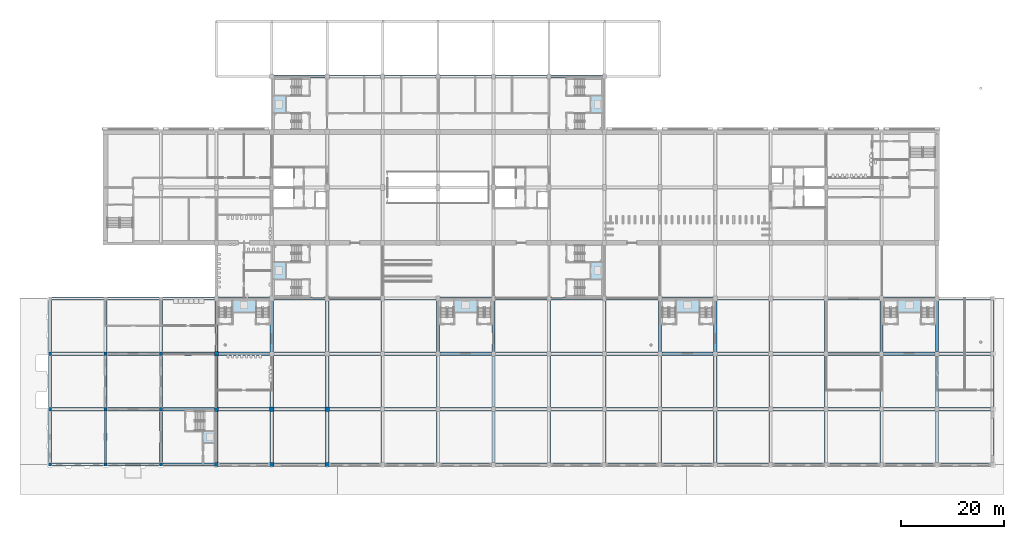
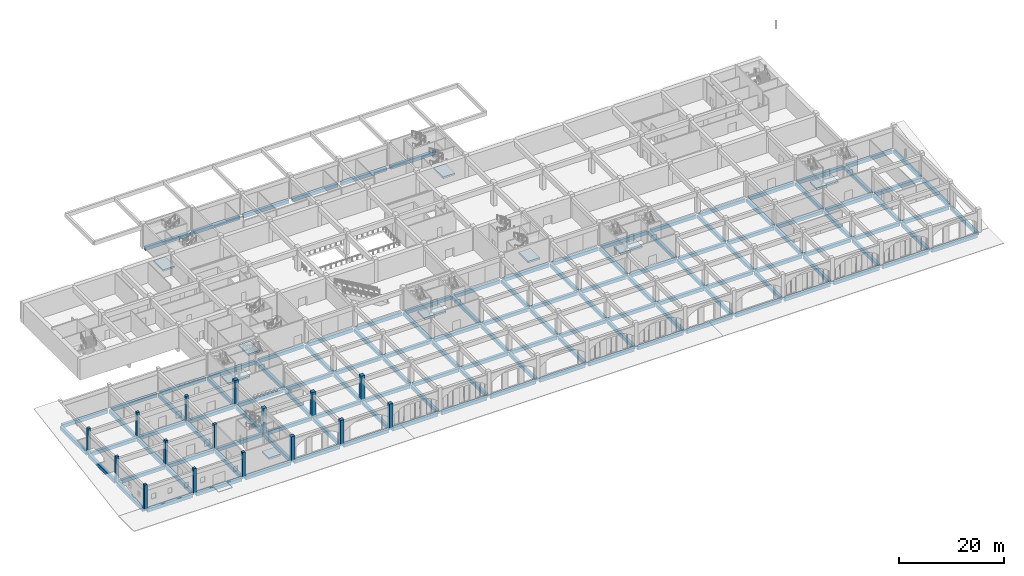
# One storey, part 1 of 101: 137 footings, 16 columns.
"""IFC4 building model written with IfcOpenShell, lengths in metres."""

from ifc_helpers import new_model, si_unit, direction, frame, origin, origin_2d, place, context, subcontext, project, spatial, polyline, rectangle, outline, extrude, material, layer, layer_set, material_profile, profile_set, type_object, element, save


model = new_model("IFC4")

# Units and contexts
model_context = context("Model", 3, precision=1e-05, world=origin(), true_north=direction((0.0, 1.0)))
body_context = subcontext(model_context, "Body", "Model", "MODEL_VIEW")
ifc_project = project(units=[si_unit("LENGTHUNIT", "METRE"), si_unit("AREAUNIT", "SQUARE_METRE"), si_unit("VOLUMEUNIT", "CUBIC_METRE"), si_unit("PLANEANGLEUNIT", "RADIAN"), si_unit("MASSUNIT", "GRAM", prefix="KILO")], contexts=[model_context])

# Site, building, storey
site_placement = place(None, origin())
site = spatial("IfcSite", under=ifc_project, at=site_placement, CompositionType="ELEMENT")
building_placement = place(site_placement, origin())
building = spatial("IfcBuilding", under=site, at=building_placement, Name="Magnolia Steps Interchange", CompositionType="ELEMENT")
storey_placement = place(building_placement, frame((0.0, 0.0, -5.39990234375)))
storey = spatial("IfcBuildingStorey", under=building, at=storey_placement, Name="B1", CompositionType="ELEMENT", Elevation=-5.39990234375)

# Footings
ifc_material_1 = material(Name="Concrete C40", Category="concrete")
ifc_material_profile_1 = material_profile(ifc_material_1, rectangle(XDim=0.60009765625, YDim=0.800048828125, at=origin_2d()), Name="RC600x800")
ifc_profile_set_1 = profile_set([ifc_material_profile_1], Name="Concrete C40")
footing_type_1 = type_object("IfcFootingType", Name="Ground beam 600 x 800", PredefinedType="FOOTING_BEAM", material=ifc_profile_set_1)
for number, where, z_axis, x_axis, name in (
    (1, (10.39990234375, 42.39990234375, -0.800048828125), (1.0, 0.0, 0.0), (0.0, 1.0, 0.0), "Ground beam"),
    (2, (21.199951171875, 42.39990234375, -0.800048828125), (1.0, 0.0, 0.0), (0.0, 1.0, 0.0), "Ground beam"),
    (3, (32.0, 42.39990234375, -0.800048828125), (1.0, 0.0, 0.0), (0.0, 1.0, 0.0), "Ground beam"),
    (4, (42.800048828125, 42.39990234375, -0.800048828125), (1.0, 0.0, 0.0), (0.0, 1.0, 0.0), "Ground beam"),
    (5, (53.60009765625, 42.39990234375, -0.800048828125), (1.0, 0.0, 0.0), (0.0, 1.0, 0.0), "Ground beam"),
    (6, (64.39990234375, 42.39990234375, -0.800048828125), (1.0, 0.0, 0.0), (0.0, 1.0, 0.0), "Ground beam"),
    (7, (75.199951171875, 42.39990234375, -0.800048828125), (1.0, 0.0, 0.0), (0.0, 1.0, 0.0), "Ground beam"),
    (8, (86.0, 42.39990234375, -0.800048828125), (1.0, 0.0, 0.0), (0.0, 1.0, 0.0), "Ground beam"),
    (9, (96.800048828125, 42.39990234375, -0.800048828125), (1.0, 0.0, 0.0), (0.0, 1.0, 0.0), "Ground beam"),
    (10, (107.60009765625, 42.39990234375, -0.800048828125), (1.0, 0.0, 0.0), (0.0, 1.0, 0.0), "Ground beam"),
    (11, (118.39990234375, 42.39990234375, -0.800048828125), (1.0, 0.0, 0.0), (0.0, 1.0, 0.0), "Ground beam"),
    (12, (129.199951171875, 42.39990234375, -0.800048828125), (1.0, 0.0, 0.0), (0.0, 1.0, 0.0), "Ground beam"),
    (13, (140.0, 42.39990234375, -0.800048828125), (1.0, 0.0, 0.0), (0.0, 1.0, 0.0), "Ground beam"),
    (14, (150.800048828125, 42.39990234375, -0.800048828125), (1.0, 0.0, 0.0), (0.0, 1.0, 0.0), "Ground beam"),
    (15, (161.60009765625, 42.39990234375, -0.800048828125), (1.0, 0.0, 0.0), (0.0, 1.0, 0.0), "Ground beam"),
    (16, (172.39990234375, 42.39990234375, -0.800048828125), (1.0, 0.0, 0.0), (0.0, 1.0, 0.0), "Ground beam"),
    (17, (183.199951171875, 42.39990234375, -0.800048828125), (1.0, 0.0, 0.0), (0.0, 1.0, 0.0), "Ground beam"),
    (18, (10.39990234375, 10.0, -0.800048828125), (1.0, 0.0, 0.0), (0.0, 1.0, 0.0), "Ground beam"),
    (19, (21.199951171875, 10.0, -0.800048828125), (1.0, 0.0, 0.0), (0.0, 1.0, 0.0), "Ground beam"),
    (20, (32.0, 10.0, -0.800048828125), (1.0, 0.0, 0.0), (0.0, 1.0, 0.0), "Ground beam"),
    (21, (42.800048828125, 10.0, -0.800048828125), (1.0, 0.0, 0.0), (0.0, 1.0, 0.0), "Ground beam"),
    (22, (53.60009765625, 10.0, -0.800048828125), (1.0, 0.0, 0.0), (0.0, 1.0, 0.0), "Ground beam"),
    (23, (64.39990234375, 10.0, -0.800048828125), (1.0, 0.0, 0.0), (0.0, 1.0, 0.0), "Ground beam"),
    (24, (75.199951171875, 10.0, -0.800048828125), (1.0, 0.0, 0.0), (0.0, 1.0, 0.0), "Ground beam"),
    (25, (86.0, 10.0, -0.800048828125), (1.0, 0.0, 0.0), (0.0, 1.0, 0.0), "Ground beam"),
    (26, (96.800048828125, 10.0, -0.800048828125), (1.0, 0.0, 0.0), (0.0, 1.0, 0.0), "Ground beam"),
    (27, (107.60009765625, 10.0, -0.800048828125), (1.0, 0.0, 0.0), (0.0, 1.0, 0.0), "Ground beam"),
    (28, (118.39990234375, 10.0, -0.800048828125), (1.0, 0.0, 0.0), (0.0, 1.0, 0.0), "Ground beam"),
    (29, (129.199951171875, 10.0, -0.800048828125), (1.0, 0.0, 0.0), (0.0, 1.0, 0.0), "Ground beam"),
    (30, (140.0, 10.0, -0.800048828125), (1.0, 0.0, 0.0), (0.0, 1.0, 0.0), "Ground beam"),
    (31, (150.800048828125, 10.0, -0.800048828125), (1.0, 0.0, 0.0), (0.0, 1.0, 0.0), "Ground beam"),
    (32, (161.60009765625, 10.0, -0.800048828125), (1.0, 0.0, 0.0), (0.0, 1.0, 0.0), "Ground beam"),
    (33, (172.39990234375, 10.0, -0.800048828125), (1.0, 0.0, 0.0), (0.0, 1.0, 0.0), "Ground beam"),
    (34, (183.199951171875, 10.0, -0.800048828125), (1.0, 0.0, 0.0), (0.0, 1.0, 0.0), "Ground beam"),
    (35, (10.39990234375, 20.800048828125, -0.800048828125), (1.0, 0.0, 0.0), (0.0, 1.0, 0.0), "Ground beam"),
    (36, (21.199951171875, 20.800048828125, -0.800048828125), (1.0, 0.0, 0.0), (0.0, 1.0, 0.0), "Ground beam"),
    (37, (32.0, 20.800048828125, -0.800048828125), (1.0, 0.0, 0.0), (0.0, 1.0, 0.0), "Ground beam"),
    (38, (42.800048828125, 20.800048828125, -0.800048828125), (1.0, 0.0, 0.0), (0.0, 1.0, 0.0), "Ground beam"),
    (39, (53.60009765625, 20.800048828125, -0.800048828125), (1.0, 0.0, 0.0), (0.0, 1.0, 0.0), "Ground beam"),
    (40, (64.39990234375, 20.800048828125, -0.800048828125), (1.0, 0.0, 0.0), (0.0, 1.0, 0.0), "Ground beam"),
    (41, (75.199951171875, 20.800048828125, -0.800048828125), (1.0, 0.0, 0.0), (0.0, 1.0, 0.0), "Ground beam"),
    (42, (86.0, 20.800048828125, -0.800048828125), (1.0, 0.0, 0.0), (0.0, 1.0, 0.0), "Ground beam"),
    (43, (96.800048828125, 20.800048828125, -0.800048828125), (1.0, 0.0, 0.0), (0.0, 1.0, 0.0), "Ground beam"),
    (44, (107.60009765625, 20.800048828125, -0.800048828125), (1.0, 0.0, 0.0), (0.0, 1.0, 0.0), "Ground beam"),
    (45, (118.39990234375, 20.800048828125, -0.800048828125), (1.0, 0.0, 0.0), (0.0, 1.0, 0.0), "Ground beam"),
    (46, (129.199951171875, 20.800048828125, -0.800048828125), (1.0, 0.0, 0.0), (0.0, 1.0, 0.0), "Ground beam"),
    (47, (140.0, 20.800048828125, -0.800048828125), (1.0, 0.0, 0.0), (0.0, 1.0, 0.0), "Ground beam"),
    (48, (150.800048828125, 20.800048828125, -0.800048828125), (1.0, 0.0, 0.0), (0.0, 1.0, 0.0), "Ground beam"),
    (49, (161.60009765625, 20.800048828125, -0.800048828125), (1.0, 0.0, 0.0), (0.0, 1.0, 0.0), "Ground beam"),
    (50, (172.39990234375, 20.800048828125, -0.800048828125), (1.0, 0.0, 0.0), (0.0, 1.0, 0.0), "Ground beam"),
    (51, (183.199951171875, 20.800048828125, -0.800048828125), (1.0, 0.0, 0.0), (0.0, 1.0, 0.0), "Ground beam"),
    (52, (10.39990234375, 31.60009765625, -0.800048828125), (1.0, 0.0, 0.0), (0.0, 1.0, 0.0), "Ground beam"),
    (53, (21.199951171875, 31.60009765625, -0.800048828125), (1.0, 0.0, 0.0), (0.0, 1.0, 0.0), "Ground beam"),
    (54, (32.0, 31.60009765625, -0.800048828125), (1.0, 0.0, 0.0), (0.0, 1.0, 0.0), "Ground beam"),
    (55, (42.800048828125, 31.60009765625, -0.800048828125), (1.0, 0.0, 0.0), (0.0, 1.0, 0.0), "Ground beam"),
    (56, (53.60009765625, 31.60009765625, -0.800048828125), (1.0, 0.0, 0.0), (0.0, 1.0, 0.0), "Ground beam"),
    (57, (64.39990234375, 31.60009765625, -0.800048828125), (1.0, 0.0, 0.0), (0.0, 1.0, 0.0), "Ground beam"),
    (58, (75.199951171875, 31.60009765625, -0.800048828125), (1.0, 0.0, 0.0), (0.0, 1.0, 0.0), "Ground beam"),
    (59, (86.0, 31.60009765625, -0.800048828125), (1.0, 0.0, 0.0), (0.0, 1.0, 0.0), "Ground beam"),
    (60, (96.800048828125, 31.60009765625, -0.800048828125), (1.0, 0.0, 0.0), (0.0, 1.0, 0.0), "Ground beam"),
    (61, (107.60009765625, 31.60009765625, -0.800048828125), (1.0, 0.0, 0.0), (0.0, 1.0, 0.0), "Ground beam"),
    (62, (118.39990234375, 31.60009765625, -0.800048828125), (1.0, 0.0, 0.0), (0.0, 1.0, 0.0), "Ground beam"),
    (63, (129.199951171875, 31.60009765625, -0.800048828125), (1.0, 0.0, 0.0), (0.0, 1.0, 0.0), "Ground beam"),
    (64, (140.0, 31.60009765625, -0.800048828125), (1.0, 0.0, 0.0), (0.0, 1.0, 0.0), "Ground beam"),
    (65, (150.800048828125, 31.60009765625, -0.800048828125), (1.0, 0.0, 0.0), (0.0, 1.0, 0.0), "Ground beam"),
    (66, (161.60009765625, 31.60009765625, -0.800048828125), (1.0, 0.0, 0.0), (0.0, 1.0, 0.0), "Ground beam"),
    (67, (172.39990234375, 31.60009765625, -0.800048828125), (1.0, 0.0, 0.0), (0.0, 1.0, 0.0), "Ground beam"),
    (68, (183.199951171875, 31.60009765625, -0.800048828125), (1.0, 0.0, 0.0), (0.0, 1.0, 0.0), "Ground beam"),
    (69, (53.60009765625, 85.60009765625, -0.800048828125), (1.0, 0.0, 0.0), (0.0, 1.0, 0.0), "Ground beam"),
    (70, (64.39990234375, 85.60009765625, -0.800048828125), (1.0, 0.0, 0.0), (0.0, 1.0, 0.0), "Ground beam"),
    (71, (75.199951171875, 85.60009765625, -0.800048828125), (1.0, 0.0, 0.0), (0.0, 1.0, 0.0), "Ground beam"),
    (72, (86.0, 85.60009765625, -0.800048828125), (1.0, 0.0, 0.0), (0.0, 1.0, 0.0), "Ground beam"),
    (73, (96.800048828125, 85.60009765625, -0.800048828125), (1.0, 0.0, 0.0), (0.0, 1.0, 0.0), "Ground beam"),
    (74, (107.60009765625, 85.60009765625, -0.800048828125), (1.0, 0.0, 0.0), (0.0, 1.0, 0.0), "Ground beam"),
    (75, (42.39990234375, 10.39990234375, -0.800048828125), (0.0, 1.0, 0.0), (-1.0, 0.0, 0.0), "Ground beam"),
    (76, (42.39990234375, 21.199951171875, -0.800048828125), (0.0, 1.0, 0.0), (-1.0, 0.0, 0.0), "Ground beam"),
    (77, (42.39990234375, 32.0, -0.800048828125), (0.0, 1.0, 0.0), (-1.0, 0.0, 0.0), "Ground beam"),
    (78, (53.199951171875, 10.39990234375, -0.800048828125), (0.0, 1.0, 0.0), (-1.0, 0.0, 0.0), "Ground beam"),
    (79, (53.199951171875, 21.199951171875, -0.800048828125), (0.0, 1.0, 0.0), (-1.0, 0.0, 0.0), "Ground beam"),
    (80, (53.199951171875, 32.0, -0.800048828125), (0.0, 1.0, 0.0), (-1.0, 0.0, 0.0), "Ground beam"),
    (81, (64.0, 10.39990234375, -0.800048828125), (0.0, 1.0, 0.0), (-1.0, 0.0, 0.0), "Ground beam"),
    (82, (64.0, 21.199951171875, -0.800048828125), (0.0, 1.0, 0.0), (-1.0, 0.0, 0.0), "Ground beam"),
    (83, (64.0, 32.0, -0.800048828125), (0.0, 1.0, 0.0), (-1.0, 0.0, 0.0), "Ground beam"),
    (84, (74.800048828125, 10.39990234375, -0.800048828125), (0.0, 1.0, 0.0), (-1.0, 0.0, 0.0), "Ground beam"),
    (85, (74.800048828125, 21.199951171875, -0.800048828125), (0.0, 1.0, 0.0), (-1.0, 0.0, 0.0), "Ground beam"),
    (86, (74.800048828125, 32.0, -0.800048828125), (0.0, 1.0, 0.0), (-1.0, 0.0, 0.0), "Ground beam"),
    (87, (85.60009765625, 10.39990234375, -0.800048828125), (0.0, 1.0, 0.0), (-1.0, 0.0, 0.0), "Ground beam"),
    (88, (85.60009765625, 21.199951171875, -0.800048828125), (0.0, 1.0, 0.0), (-1.0, 0.0, 0.0), "Ground beam"),
    (89, (85.60009765625, 32.0, -0.800048828125), (0.0, 1.0, 0.0), (-1.0, 0.0, 0.0), "Ground beam"),
    (90, (96.39990234375, 10.39990234375, -0.800048828125), (0.0, 1.0, 0.0), (-1.0, 0.0, 0.0), "Ground beam"),
    (91, (96.39990234375, 21.199951171875, -0.800048828125), (0.0, 1.0, 0.0), (-1.0, 0.0, 0.0), "Ground beam"),
    (92, (96.39990234375, 32.0, -0.800048828125), (0.0, 1.0, 0.0), (-1.0, 0.0, 0.0), "Ground beam"),
    (93, (107.199951171875, 10.39990234375, -0.800048828125), (0.0, 1.0, 0.0), (-1.0, 0.0, 0.0), "Ground beam"),
    (94, (107.199951171875, 21.199951171875, -0.800048828125), (0.0, 1.0, 0.0), (-1.0, 0.0, 0.0), "Ground beam"),
    (95, (107.199951171875, 32.0, -0.800048828125), (0.0, 1.0, 0.0), (-1.0, 0.0, 0.0), "Ground beam"),
    (96, (118.0, 10.39990234375, -0.800048828125), (0.0, 1.0, 0.0), (-1.0, 0.0, 0.0), "Ground beam"),
    (97, (118.0, 21.199951171875, -0.800048828125), (0.0, 1.0, 0.0), (-1.0, 0.0, 0.0), "Ground beam"),
    (98, (118.0, 32.0, -0.800048828125), (0.0, 1.0, 0.0), (-1.0, 0.0, 0.0), "Ground beam"),
    (99, (128.800048828125, 10.39990234375, -0.800048828125), (0.0, 1.0, 0.0), (-1.0, 0.0, 0.0), "Ground beam"),
    (100, (128.800048828125, 21.199951171875, -0.800048828125), (0.0, 1.0, 0.0), (-1.0, 0.0, 0.0), "Ground beam"),
    (101, (128.800048828125, 32.0, -0.800048828125), (0.0, 1.0, 0.0), (-1.0, 0.0, 0.0), "Ground beam"),
    (102, (139.60009765625, 10.39990234375, -0.800048828125), (0.0, 1.0, 0.0), (-1.0, 0.0, 0.0), "Ground beam"),
    (103, (139.60009765625, 21.199951171875, -0.800048828125), (0.0, 1.0, 0.0), (-1.0, 0.0, 0.0), "Ground beam"),
    (104, (139.60009765625, 32.0, -0.800048828125), (0.0, 1.0, 0.0), (-1.0, 0.0, 0.0), "Ground beam"),
    (105, (150.39990234375, 10.39990234375, -0.800048828125), (0.0, 1.0, 0.0), (-1.0, 0.0, 0.0), "Ground beam"),
    (106, (150.39990234375, 21.199951171875, -0.800048828125), (0.0, 1.0, 0.0), (-1.0, 0.0, 0.0), "Ground beam"),
    (107, (150.39990234375, 32.0, -0.800048828125), (0.0, 1.0, 0.0), (-1.0, 0.0, 0.0), "Ground beam"),
    (108, (161.199951171875, 10.39990234375, -0.800048828125), (0.0, 1.0, 0.0), (-1.0, 0.0, 0.0), "Ground beam"),
    (109, (161.199951171875, 21.199951171875, -0.800048828125), (0.0, 1.0, 0.0), (-1.0, 0.0, 0.0), "Ground beam"),
    (110, (161.199951171875, 32.0, -0.800048828125), (0.0, 1.0, 0.0), (-1.0, 0.0, 0.0), "Ground beam"),
    (111, (172.0, 10.39990234375, -0.800048828125), (0.0, 1.0, 0.0), (-1.0, 0.0, 0.0), "Ground beam"),
    (112, (172.0, 21.199951171875, -0.800048828125), (0.0, 1.0, 0.0), (-1.0, 0.0, 0.0), "Ground beam"),
    (113, (172.0, 32.0, -0.800048828125), (0.0, 1.0, 0.0), (-1.0, 0.0, 0.0), "Ground beam"),
    (114, (182.800048828125, 10.39990234375, -0.800048828125), (0.0, 1.0, 0.0), (-1.0, 0.0, 0.0), "Ground beam"),
    (115, (182.800048828125, 21.199951171875, -0.800048828125), (0.0, 1.0, 0.0), (-1.0, 0.0, 0.0), "Ground beam"),
    (116, (182.800048828125, 32.0, -0.800048828125), (0.0, 1.0, 0.0), (-1.0, 0.0, 0.0), "Ground beam"),
    (117, (193.60009765625, 10.39990234375, -0.800048828125), (0.0, 1.0, 0.0), (-1.0, 0.0, 0.0), "Ground beam"),
    (118, (193.60009765625, 21.199951171875, -0.800048828125), (0.0, 1.0, 0.0), (-1.0, 0.0, 0.0), "Ground beam"),
    (119, (193.60009765625, 32.0, -0.800048828125), (0.0, 1.0, 0.0), (-1.0, 0.0, 0.0), "Ground beam"),
    (120, (10.0, 10.39990234375, -0.800048828125), (0.0, 1.0, 0.0), (-1.0, 0.0, 0.0), "Ground beam"),
    (121, (10.0, 21.199951171875, -0.800048828125), (0.0, 1.0, 0.0), (-1.0, 0.0, 0.0), "Ground beam"),
    (122, (10.0, 32.0, -0.800048828125), (0.0, 1.0, 0.0), (-1.0, 0.0, 0.0), "Ground beam"),
    (123, (20.800048828125, 10.39990234375, -0.800048828125), (0.0, 1.0, 0.0), (-1.0, 0.0, 0.0), "Ground beam"),
    (124, (20.800048828125, 21.199951171875, -0.800048828125), (0.0, 1.0, 0.0), (-1.0, 0.0, 0.0), "Ground beam"),
    (125, (20.800048828125, 32.0, -0.800048828125), (0.0, 1.0, 0.0), (-1.0, 0.0, 0.0), "Ground beam"),
    (126, (31.60009765625, 10.39990234375, -0.800048828125), (0.0, 1.0, 0.0), (-1.0, 0.0, 0.0), "Ground beam"),
    (127, (31.60009765625, 21.199951171875, -0.800048828125), (0.0, 1.0, 0.0), (-1.0, 0.0, 0.0), "Ground beam"),
    (128, (31.60009765625, 32.0, -0.800048828125), (0.0, 1.0, 0.0), (-1.0, 0.0, 0.0), "Ground beam"),
):
    element("IfcFooting", number, at=place(storey_placement, frame(where, z_axis=z_axis, x_axis=x_axis)), inside=storey, type_object=footing_type_1, Name=name, PredefinedType="FOOTING_BEAM", context=body_context, shape_type="SweptSolid", body=[
        extrude(rectangle(XDim=0.60009765625, YDim=0.800048828125, at=origin_2d()), origin(), (0.0, 0.0, 1.0), 10.0),
    ])
ifc_material_2 = material(Name="Concrete C40", Category="concrete")
ifc_layer = layer(ifc_material_2, 0.39990234375)
ifc_layer_set = layer_set([ifc_layer], Name="Lift pit foundation 400")
footing_type_2 = type_object("IfcFootingType", Name="Lift pit foundation 400", PredefinedType="PAD_FOOTING", material=ifc_layer_set)
footing_1_placement = place(storey_placement, frame((0.0, 0.0, -1.800048828125)))
element("IfcFooting", 129, at=footing_1_placement, inside=storey, type_object=footing_type_2, Name="Lift pit foundation BC1", PredefinedType="PAD_FOOTING", context=body_context, shape_type="SweptSolid", body=[
    extrude(outline(polyline([(45.39990234375, 39.550048828125), (50.199951171875, 39.550048828125), (50.199951171875, 42.14990234375), (45.39990234375, 42.14990234375), (45.39990234375, 39.550048828125)])), origin(), (0.0, 0.0, 1.0), 0.39990234375),
])
footing_2_placement = place(storey_placement, frame((0.0, 0.0, -1.800048828125)))
element("IfcFooting", 130, at=footing_2_placement, inside=storey, type_object=footing_type_2, Name="Lift pit foundation BC2", PredefinedType="PAD_FOOTING", context=body_context, shape_type="SweptSolid", body=[
    extrude(outline(polyline([(88.60009765625, 39.550048828125), (93.39990234375, 39.550048828125), (93.39990234375, 42.14990234375), (88.60009765625, 42.14990234375), (88.60009765625, 39.550048828125)])), origin(), (0.0, 0.0, 1.0), 0.39990234375),
])
footing_3_placement = place(storey_placement, frame((0.0, 0.0, -1.800048828125)))
element("IfcFooting", 131, at=footing_3_placement, inside=storey, type_object=footing_type_2, Name="Lift pit foundation BC3", PredefinedType="PAD_FOOTING", context=body_context, shape_type="SweptSolid", body=[
    extrude(outline(polyline([(131.800048828125, 39.550048828125), (136.60009765625, 39.550048828125), (136.60009765625, 42.14990234375), (131.800048828125, 42.14990234375), (131.800048828125, 39.550048828125)])), origin(), (0.0, 0.0, 1.0), 0.39990234375),
])
footing_4_placement = place(storey_placement, frame((0.0, 0.0, -1.800048828125)))
element("IfcFooting", 132, at=footing_4_placement, inside=storey, type_object=footing_type_2, Name="Lift pit foundation BC4", PredefinedType="PAD_FOOTING", context=body_context, shape_type="SweptSolid", body=[
    extrude(outline(polyline([(175.0, 39.550048828125), (179.800048828125, 39.550048828125), (179.800048828125, 42.14990234375), (175.0, 42.14990234375), (175.0, 39.550048828125)])), origin(), (0.0, 0.0, 1.0), 0.39990234375),
])
footing_5_placement = place(storey_placement, frame((0.0, 0.0, -1.800048828125)))
element("IfcFooting", 133, at=footing_5_placement, inside=storey, type_object=footing_type_2, Name="Lift pit foundation HB1", PredefinedType="PAD_FOOTING", context=body_context, shape_type="SweptSolid", body=[
    extrude(outline(polyline([(39.64990234375, 16.699951171875), (39.64990234375, 14.10009765625), (42.25, 14.10009765625), (42.25, 16.699951171875), (39.64990234375, 16.699951171875)])), origin(), (0.0, 0.0, 1.0), 0.39990234375),
])
footing_6_placement = place(storey_placement, frame((0.0, 0.0, -1.800048828125)))
element("IfcFooting", 134, at=footing_6_placement, inside=storey, type_object=footing_type_2, Name="Lift pit foundation HC1", PredefinedType="PAD_FOOTING", context=body_context, shape_type="SweptSolid", body=[
    extrude(outline(polyline([(56.050048828125, 78.39990234375), (56.050048828125, 82.0), (53.449951171875, 82.0), (53.449951171875, 78.39990234375), (56.050048828125, 78.39990234375)])), origin(), (0.0, 0.0, 1.0), 0.39990234375),
])
footing_7_placement = place(storey_placement, frame((0.0, 0.0, -1.800048828125)))
element("IfcFooting", 135, at=footing_7_placement, inside=storey, type_object=footing_type_2, Name="Lift pit foundation HC2", PredefinedType="PAD_FOOTING", context=body_context, shape_type="SweptSolid", body=[
    extrude(outline(polyline([(115.14990234375, 82.0), (115.14990234375, 78.39990234375), (117.75, 78.39990234375), (117.75, 82.0), (115.14990234375, 82.0)])), origin(), (0.0, 0.0, 1.0), 0.39990234375),
])
footing_8_placement = place(storey_placement, frame((0.0, 0.0, -1.800048828125)))
element("IfcFooting", 136, at=footing_8_placement, inside=storey, type_object=footing_type_2, Name="Lift pit foundation HC3", PredefinedType="PAD_FOOTING", context=body_context, shape_type="SweptSolid", body=[
    extrude(outline(polyline([(56.050048828125, 46.0), (56.050048828125, 49.60009765625), (53.449951171875, 49.60009765625), (53.449951171875, 46.0), (56.050048828125, 46.0)])), origin(), (0.0, 0.0, 1.0), 0.39990234375),
])
footing_9_placement = place(storey_placement, frame((0.0, 0.0, -1.800048828125)))
element("IfcFooting", 137, at=footing_9_placement, inside=storey, type_object=footing_type_2, Name="Lift pit foundation HC4", PredefinedType="PAD_FOOTING", context=body_context, shape_type="SweptSolid", body=[
    extrude(outline(polyline([(115.14990234375, 49.60009765625), (115.14990234375, 46.0), (117.75, 46.0), (117.75, 49.60009765625), (115.14990234375, 49.60009765625)])), origin(), (0.0, 0.0, 1.0), 0.39990234375),
])

# Columns
ifc_material_3 = material(Name="Concrete C40", Category="concrete")
ifc_material_profile_2 = material_profile(ifc_material_3, rectangle(XDim=0.60009765625, YDim=0.60009765625, at=origin_2d()), Name="RC600x600")
ifc_profile_set_2 = profile_set([ifc_material_profile_2], Name="Concrete C40")
column_type_1 = type_object("IfcColumnType", Name="RC column 600x600", PredefinedType="COLUMN", material=ifc_profile_set_2)
for number, where, z_axis, x_axis, name in (
    (138, (10.0, 10.0, -0.400146484375), (0.0, 0.0, 1.0), (1.0, 0.0, 0.0), "Column CYC-1A B1"),
    (139, (10.0, 20.800048828125, -0.400146484375), (0.0, 0.0, 1.0), (1.0, 0.0, 0.0), "Column CYC-1B B1"),
    (140, (10.0, 31.60009765625, -0.400146484375), (0.0, 0.0, 1.0), (1.0, 0.0, 0.0), "Column CYC-1C B1"),
    (141, (20.800048828125, 10.0, -0.400146484375), (0.0, 0.0, 1.0), (1.0, 0.0, 0.0), "Column CYC-2A B1"),
    (142, (20.800048828125, 20.800048828125, -0.400146484375), (0.0, 0.0, 1.0), (1.0, 0.0, 0.0), "Column CYC-2B B1"),
    (143, (20.800048828125, 31.60009765625, -0.400146484375), (0.0, 0.0, 1.0), (1.0, 0.0, 0.0), "Column CYC-2C B1"),
    (144, (31.60009765625, 10.0, -0.400146484375), (0.0, 0.0, 1.0), (1.0, 0.0, 0.0), "Column CYC-3A B1"),
    (145, (31.60009765625, 20.800048828125, -0.400146484375), (0.0, 0.0, 1.0), (1.0, 0.0, 0.0), "Column CYC-3B B1"),
    (146, (31.60009765625, 31.60009765625, -0.400146484375), (0.0, 0.0, 1.0), (1.0, 0.0, 0.0), "Column CYC-3C B1"),
):
    element("IfcColumn", number, at=place(storey_placement, frame(where, z_axis=z_axis, x_axis=x_axis)), inside=storey, type_object=column_type_1, Name=name, PredefinedType="COLUMN", context=body_context, shape_type="SweptSolid", body=[
        extrude(rectangle(XDim=0.60009765625, YDim=0.60009765625, at=origin_2d()), origin(), (0.0, 0.0, 1.0), 5.800048828125),
    ])
ifc_material_4 = material(Name="Concrete C40", Category="concrete")
ifc_material_profile_3 = material_profile(ifc_material_4, rectangle(XDim=0.800048828125, YDim=0.800048828125, at=origin_2d()), Name="RC800x800")
ifc_profile_set_3 = profile_set([ifc_material_profile_3], Name="Concrete C40")
column_type_2 = type_object("IfcColumnType", Name="RC column 800x800", PredefinedType="COLUMN", material=ifc_profile_set_3)
for number, where, z_axis, x_axis, name in (
    (147, (42.39990234375, 10.0, -0.400146484375), (0.0, 0.0, 1.0), (1.0, 0.0, 0.0), "Column COV-4A B1"),
    (148, (42.39990234375, 20.800048828125, -0.400146484375), (0.0, 0.0, 1.0), (1.0, 0.0, 0.0), "Column COV-4B B1"),
    (149, (42.39990234375, 31.60009765625, -0.400146484375), (0.0, 0.0, 1.0), (1.0, 0.0, 0.0), "Column COV-4C B1"),
    (150, (53.199951171875, 10.0, -0.400146484375), (0.0, 0.0, 1.0), (1.0, 0.0, 0.0), "Column COV-5A B1"),
    (151, (53.199951171875, 20.800048828125, -0.400146484375), (0.0, 0.0, 1.0), (1.0, 0.0, 0.0), "Column COV-5B B1"),
    (152, (64.0, 10.0, -0.400146484375), (0.0, 0.0, 1.0), (1.0, 0.0, 0.0), "Column COV-6A B1"),
    (153, (64.0, 20.800048828125, -0.400146484375), (0.0, 0.0, 1.0), (1.0, 0.0, 0.0), "Column COV-6B B1"),
):
    element("IfcColumn", number, at=place(storey_placement, frame(where, z_axis=z_axis, x_axis=x_axis)), inside=storey, type_object=column_type_2, Name=name, PredefinedType="COLUMN", context=body_context, shape_type="SweptSolid", body=[
        extrude(rectangle(XDim=0.800048828125, YDim=0.800048828125, at=origin_2d()), origin(), (0.0, 0.0, 1.0), 5.800048828125),
    ])

save(model, "model.ifc")
